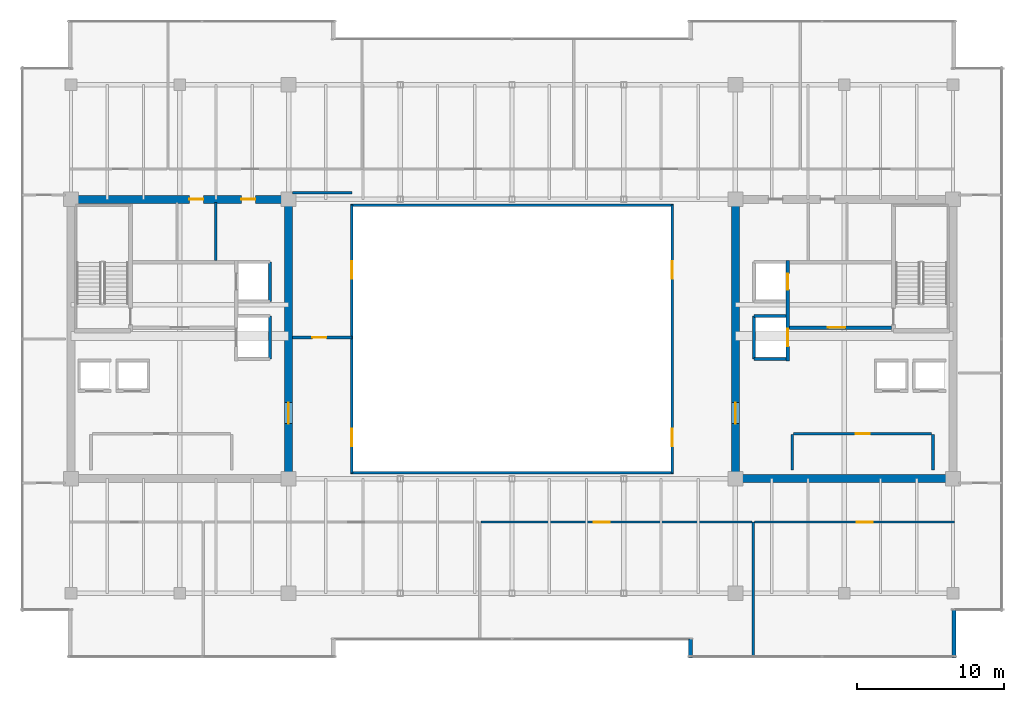
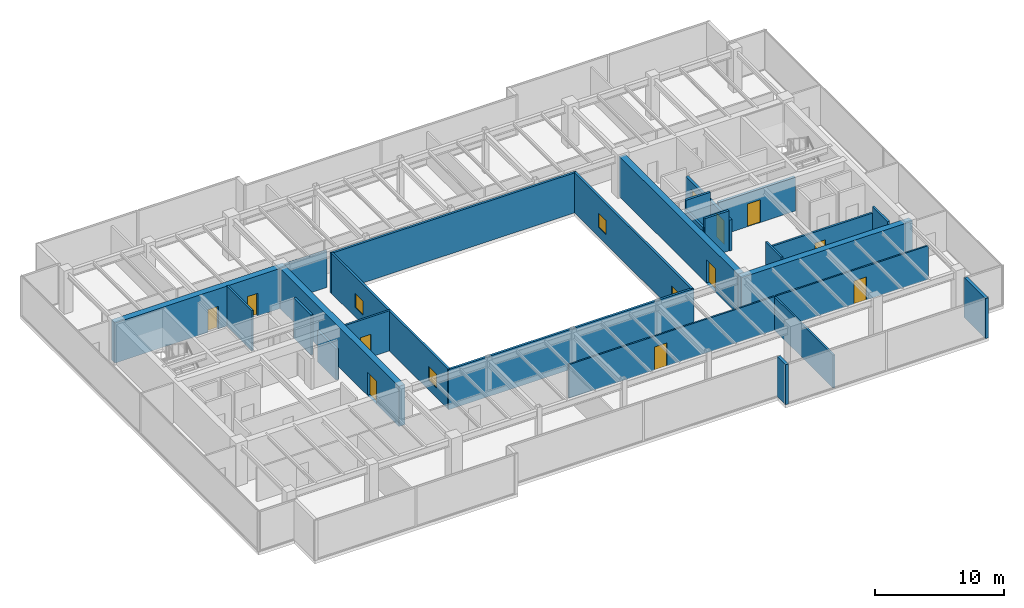
# One storey, part 29 of 33: 26 walls, 11 doors, 4 windows, 15 openings.
"""IFC4 building model written with IfcOpenShell, lengths in metres."""

from ifc_helpers import new_model, si_unit, direction, frame, frame_2d, origin, place, context, subcontext, project, spatial, rectangle, extrude, source, transform, mapped, material, layer, layer_set, type_object, type_shapes, element, fill, save


model = new_model("IFC4")

# Units and contexts
model_context = context("Model", 3, precision=1e-05, world=origin(), true_north=direction((0.0, 1.0)))
body_context = subcontext(model_context, "Body", "Model", "MODEL_VIEW")
ifc_project = project(units=[si_unit("LENGTHUNIT", "METRE"), si_unit("AREAUNIT", "SQUARE_METRE"), si_unit("VOLUMEUNIT", "CUBIC_METRE"), si_unit("PLANEANGLEUNIT", "RADIAN"), si_unit("MASSUNIT", "GRAM", prefix="KILO")], contexts=[model_context])

# Site, building, storey
site_placement = place(None, origin())
site = spatial("IfcSite", under=ifc_project, at=site_placement, CompositionType="ELEMENT")
building_placement = place(site_placement, origin())
building = spatial("IfcBuilding", under=site, at=building_placement, Name="Haelvirn Gate Laboratories", CompositionType="ELEMENT")
storey_placement = place(building_placement, frame((0.0, 0.0, 213.699951171875)))
storey = spatial("IfcBuildingStorey", under=building, at=storey_placement, Name="L51", CompositionType="ELEMENT", Elevation=213.699951171875)

# Walls
ifc_material_1 = material(Name="Thermally-broken bronze aluminium rainscreen & mineral wool", Category="aluminium")
ifc_layer_1 = layer(ifc_material_1, 0.280029296875, Name="EW-TERR-280")
ifc_layer_set_1 = layer_set([ifc_layer_1], Name="Thermally-broken bronze aluminium rainscreen & mineral wool")
wall_type_1 = type_object("IfcWallType", Name="EW-TERR-280", PredefinedType="STANDARD", material=ifc_layer_set_1)
wall_1_placement = place(storey_placement, frame((49.5400390625, 3.89306640625, 0.0), z_axis=(0.0, 0.0, 1.0), x_axis=(0.0, -1.0, 0.0)))
element("IfcWall", 1, at=wall_1_placement, inside=storey, type_object=wall_type_1, Name="L51 Atrium Recess Bronze Return Wall 03", PredefinedType="STANDARD", context=body_context, shape_type="SweptSolid", body=[
    extrude(rectangle(XDim=1.29296875, YDim=0.280029296875, at=frame_2d((0.646484375, 0.0))), origin(), (0.0, 0.0, 1.0), 3.800048828125),
])
wall_2_placement = place(storey_placement, frame((67.4599609375, 2.60009765625, 0.0), z_axis=(0.0, 0.0, 1.0), x_axis=(0.0, 1.0, 0.0)))
element("IfcWall", 2, at=wall_2_placement, inside=storey, type_object=wall_type_1, Name="L51 Atrium Recess Bronze Return Wall 05", PredefinedType="STANDARD", context=body_context, shape_type="SweptSolid", body=[
    extrude(rectangle(XDim=3.287841796875, YDim=0.280029296875, at=frame_2d((1.64404296875, 0.0))), origin(), (0.0, 0.0, 1.0), 3.800048828125),
])
ifc_material_2 = material(Name="Double-layer acoustic gypsum laboratory partition", Category="gypsum")
ifc_layer_2 = layer(ifc_material_2, 0.159912109375, Name="IW-ACOUST-160")
ifc_layer_set_2 = layer_set([ifc_layer_2], Name="Double-layer acoustic gypsum laboratory partition")
wall_type_2 = type_object("IfcWallType", Name="IW-ACOUST-160", PredefinedType="PARTITIONING", material=ifc_layer_set_2)
wall_3_placement = place(storey_placement, frame((53.800048828125, 2.7099609375, 0.0), z_axis=(0.0, 0.0, 1.0), x_axis=(0.0, 1.0, 0.0)))
element("IfcWall", 3, at=wall_3_placement, inside=storey, type_object=wall_type_2, Name="L51 Interior Wall IW-L51-SDIV-03", PredefinedType="PARTITIONING", context=body_context, shape_type="SweptSolid", body=[
    extrude(rectangle(XDim=9.130126953125, YDim=0.159912109375, at=frame_2d((4.56494140625, 0.0))), origin(), (0.0, 0.0, 1.0), 3.135009765625),
])
ifc_material_3 = material(Name="Fire-rated acoustic gypsum board partition", Category="gypsum")
ifc_layer_3 = layer(ifc_material_3, 0.175048828125, Name="IW-ACOUST-180")
ifc_layer_set_3 = layer_set([ifc_layer_3], Name="Fire-rated acoustic gypsum board partition")
wall_type_3 = type_object("IfcWallType", Name="IW-ACOUST-180", PredefinedType="PARTITIONING", material=ifc_layer_set_3)
wall_4_placement = place(storey_placement, frame((22.47509765625, 34.260009765625, 0.0), z_axis=(0.0, 0.0, 1.0), x_axis=(1.0, 0.0, 0.0)))
element("IfcWall", 4, at=wall_4_placement, inside=storey, type_object=wall_type_3, Name="L51 Interior Wall IW-L51-WPOD-N", PredefinedType="PARTITIONING", context=body_context, shape_type="SweptSolid", body=[
    extrude(rectangle(XDim=4.02490234375, YDim=0.175048828125, at=frame_2d((2.012451171875, 0.0))), origin(), (0.0, 0.0, 1.0), 3.485107421875),
])

# Wall, opening, door
wall_5_placement = place(storey_placement, frame((22.47509765625, 24.39990234375, 0.0), z_axis=(0.0, 0.0, 1.0), x_axis=(1.0, 0.0, 0.0)))
wall_5 = element("IfcWall", 5, at=wall_5_placement, inside=storey, type_object=wall_type_3, Name="L51 Interior Wall IW-L51-WPOD-S", PredefinedType="PARTITIONING", context=body_context, shape_type="SweptSolid", body=[
    extrude(rectangle(XDim=4.02490234375, YDim=0.175048828125, at=frame_2d((2.012451171875, 0.0))), origin(), (0.0, 0.0, 1.0), 3.800048828125),
])
opening_1_placement = place(wall_5_placement, frame((1.35009765625, 0.0, 0.0)))
opening_1 = element("IfcOpeningElement", 6, at=opening_1_placement, cuts=wall_5, Name="Opening FD4", PredefinedType="OPENING", context=body_context, shape_type="SweptSolid", body=[
    extrude(rectangle(XDim=0.949951171875, YDim=2.14990234375, at=frame_2d((0.47509765625, 1.074951171875))), frame((0.0, 0.09765625, 0.0), z_axis=(0.0, -1.0, 0.0), x_axis=(1.0, 0.0, 0.0)), (0.0, 0.0, 1.0), 0.195068359375),
])
ifc_material_4 = material(Name="Fire-rated steel SM355 core service door", Category="steel")
door_type_1 = type_object("IfcDoorType", Name="DR-FD-950", OperationType="NOTDEFINED", PredefinedType="DOOR", material=ifc_material_4)
shared_shape_1 = source(origin(), body_context, "Body", "SweptSolid", [
    extrude(rectangle(XDim=0.949951171875, YDim=2.14990234375, at=frame_2d((0.47509765625, 1.074951171875))), frame((0.0, 0.02490234375, 0.0), z_axis=(0.0, -1.0, 0.0), x_axis=(1.0, 0.0, 0.0)), (0.0, 0.0, 1.0), 0.050048828125),
])
type_shapes(door_type_1, [shared_shape_1])
door_1_placement = place(opening_1_placement, origin())
door_1 = element("IfcDoor", 7, at=door_1_placement, inside=storey, type_object=door_type_1, Name="L51 High-Zone Computational Suite Door", OperationType="SINGLE_SWING_RIGHT", OverallHeight=2.14990234375, OverallWidth=0.949951171875, PredefinedType="DOOR", context=body_context, shape_type="MappedRepresentation", body=[
    mapped(shared_shape_1, transform((0.0, 0.0, 0.0), scale=1.0)),
])
fill(opening_1, door_1)

# Wall, openings, windows
ifc_material_5 = material(Name="Tempered fire-rated borosilicate glass & anodised aluminium", Category="aluminium")
ifc_layer_4 = layer(ifc_material_5, 0.195068359375, Name="IW-GLAZ-200")
ifc_layer_set_4 = layer_set([ifc_layer_4], Name="Tempered fire-rated borosilicate glass & anodised aluminium")
wall_type_4 = type_object("IfcWallType", Name="IW-GLAZ-200", PredefinedType="SOLIDWALL", material=ifc_layer_set_4)
wall_6_placement = place(storey_placement, frame((26.5, 15.199951171875, 0.0), z_axis=(0.0, 0.0, 1.0), x_axis=(0.0, 1.0, 0.0)))
wall_6 = element("IfcWall", 8, at=wall_6_placement, inside=storey, type_object=wall_type_4, Name="L51 Interior Wall IW-L51-ATRIUM-W", PredefinedType="SOLIDWALL", context=body_context, shape_type="SweptSolid", body=[
    extrude(rectangle(XDim=18.199951171875, YDim=0.195068359375, at=frame_2d((9.10009765625, 0.0))), origin(), (0.0, 0.0, 1.0), 3.800048828125),
])
opening_2_placement = place(wall_6_placement, frame((1.800048828125, 0.0, 0.89990234375)))
opening_2 = element("IfcOpeningElement", 9, at=opening_2_placement, cuts=wall_6, Name="Opening W6", PredefinedType="OPENING", context=body_context, shape_type="SweptSolid", body=[
    extrude(rectangle(XDim=1.199951171875, YDim=1.35009765625, at=frame_2d((0.60009765625, 0.675048828125))), frame((0.0, 0.107421875, 0.0), z_axis=(0.0, -1.0, 0.0), x_axis=(1.0, 0.0, 0.0)), (0.0, 0.0, 1.0), 0.215087890625),
])
opening_3_placement = place(wall_6_placement, frame((13.199951171875, 0.0, 0.89990234375)))
opening_3 = element("IfcOpeningElement", 10, at=opening_3_placement, cuts=wall_6, Name="Opening W6", PredefinedType="OPENING", context=body_context, shape_type="SweptSolid", body=[
    extrude(rectangle(XDim=1.199951171875, YDim=1.35009765625, at=frame_2d((0.60009765625, 0.675048828125))), frame((0.0, 0.107421875, 0.0), z_axis=(0.0, -1.0, 0.0), x_axis=(1.0, 0.0, 0.0)), (0.0, 0.0, 1.0), 0.215087890625),
])
ifc_material_6 = material(Name="Fire-rated EI 120 borosilicate atrium vision glazing", Category="glass")
window_type = type_object("IfcWindowType", Name="WN-ATR-1200", PartitioningType="SINGLE_PANEL", PredefinedType="WINDOW", material=ifc_material_6)
shared_shape_2 = source(origin(), body_context, "Body", "SweptSolid", [
    extrude(rectangle(XDim=1.199951171875, YDim=1.35009765625, at=frame_2d((0.60009765625, 0.675048828125))), frame((0.0, 0.030029296875, 0.0), z_axis=(0.0, -1.0, 0.0), x_axis=(1.0, 0.0, 0.0)), (0.0, 0.0, 1.0), 0.06005859375),
])
type_shapes(window_type, [shared_shape_2])
window_1_placement = place(opening_2_placement, origin())
window_1 = element("IfcWindow", 11, at=window_1_placement, inside=storey, type_object=window_type, Name="L51 Atrium Observation Window 1", OverallHeight=1.35009765625, OverallWidth=1.199951171875, PartitioningType="SINGLE_PANEL", PredefinedType="WINDOW", context=body_context, shape_type="MappedRepresentation", body=[
    mapped(shared_shape_2, transform((0.0, 0.0, 0.0), scale=1.0)),
])
fill(opening_2, window_1)
window_2_placement = place(opening_3_placement, origin())
window_2 = element("IfcWindow", 12, at=window_2_placement, inside=storey, type_object=window_type, Name="L51 Atrium Observation Window 2", OverallHeight=1.35009765625, OverallWidth=1.199951171875, PartitioningType="SINGLE_PANEL", PredefinedType="WINDOW", context=body_context, shape_type="MappedRepresentation", body=[
    mapped(shared_shape_2, transform((0.0, 0.0, 0.0), scale=1.0)),
])
fill(opening_3, window_2)

wall_7_placement = place(storey_placement, frame((48.300048828125, 15.199951171875, 0.0), z_axis=(0.0, 0.0, 1.0), x_axis=(0.0, 1.0, 0.0)))
wall_7 = element("IfcWall", 13, at=wall_7_placement, inside=storey, type_object=wall_type_4, Name="L51 Interior Wall IW-L51-ATRIUM-E", PredefinedType="SOLIDWALL", context=body_context, shape_type="SweptSolid", body=[
    extrude(rectangle(XDim=18.199951171875, YDim=0.195068359375, at=frame_2d((9.10009765625, 0.0))), origin(), (0.0, 0.0, 1.0), 3.800048828125),
])
opening_4_placement = place(wall_7_placement, frame((1.800048828125, 0.0, 0.89990234375)))
opening_4 = element("IfcOpeningElement", 14, at=opening_4_placement, cuts=wall_7, Name="Opening W6", PredefinedType="OPENING", context=body_context, shape_type="SweptSolid", body=[
    extrude(rectangle(XDim=1.199951171875, YDim=1.35009765625, at=frame_2d((0.60009765625, 0.675048828125))), frame((0.0, 0.107421875, 0.0), z_axis=(0.0, -1.0, 0.0), x_axis=(1.0, 0.0, 0.0)), (0.0, 0.0, 1.0), 0.215087890625),
])
opening_5_placement = place(wall_7_placement, frame((13.199951171875, 0.0, 0.89990234375)))
opening_5 = element("IfcOpeningElement", 15, at=opening_5_placement, cuts=wall_7, Name="Opening W6", PredefinedType="OPENING", context=body_context, shape_type="SweptSolid", body=[
    extrude(rectangle(XDim=1.199951171875, YDim=1.35009765625, at=frame_2d((0.60009765625, 0.675048828125))), frame((0.0, 0.107421875, 0.0), z_axis=(0.0, -1.0, 0.0), x_axis=(1.0, 0.0, 0.0)), (0.0, 0.0, 1.0), 0.215087890625),
])
window_3_placement = place(opening_4_placement, origin())
window_3 = element("IfcWindow", 16, at=window_3_placement, inside=storey, type_object=window_type, Name="L51 Atrium Observation Window 1", OverallHeight=1.35009765625, OverallWidth=1.199951171875, PartitioningType="SINGLE_PANEL", PredefinedType="WINDOW", context=body_context, shape_type="MappedRepresentation", body=[
    mapped(shared_shape_2, transform((0.0, 0.0, 0.0), scale=1.0)),
])
fill(opening_4, window_3)
window_4_placement = place(opening_5_placement, origin())
window_4 = element("IfcWindow", 17, at=window_4_placement, inside=storey, type_object=window_type, Name="L51 Atrium Observation Window 2", OverallHeight=1.35009765625, OverallWidth=1.199951171875, PartitioningType="SINGLE_PANEL", PredefinedType="WINDOW", context=body_context, shape_type="MappedRepresentation", body=[
    mapped(shared_shape_2, transform((0.0, 0.0, 0.0), scale=1.0)),
])
fill(opening_5, window_4)

# Walls
for number, where, z_axis, x_axis, name in (
    (18, (26.39990234375, 15.199951171875, 0.0), (0.0, 0.0, 1.0), (1.0, 0.0, 0.0), "L51 Interior Wall IW-L51-ATRIUM-S"),
    (19, (26.39990234375, 33.39990234375, 0.0), (0.0, 0.0, 1.0), (1.0, 0.0, 0.0), "L51 Interior Wall IW-L51-ATRIUM-N"),
):
    element("IfcWall", number, at=place(storey_placement, frame(where, z_axis=z_axis, x_axis=x_axis)), inside=storey, type_object=wall_type_4, Name=name, PredefinedType="SOLIDWALL", context=body_context, shape_type="SweptSolid", body=[
        extrude(rectangle(XDim=22.0, YDim=0.195068359375, at=frame_2d((11.0, 0.0))), origin(), (0.0, 0.0, 1.0), 3.800048828125),
    ])

# Wall, opening, door
ifc_material_7 = material(Name="Acoustic mineral-wool gypsum board partition", Category="gypsum")
ifc_layer_5 = layer(ifc_material_7, 0.139892578125, Name="IW-PART-140")
ifc_layer_set_5 = layer_set([ifc_layer_5], Name="Acoustic mineral-wool gypsum board partition")
wall_type_5 = type_object("IfcWallType", Name="IW-PART-140", PredefinedType="PARTITIONING", material=ifc_layer_set_5)
wall_8_placement = place(storey_placement, frame((35.280029296875, 11.840087890625, 0.0), z_axis=(0.0, 0.0, 1.0), x_axis=(1.0, 0.0, 0.0)))
wall_8 = element("IfcWall", 20, at=wall_8_placement, inside=storey, type_object=wall_type_5, Name="L51 Interior Wall IW-L51-SCORR-03", PredefinedType="PARTITIONING", context=body_context, shape_type="SweptSolid", body=[
    extrude(rectangle(XDim=18.43994140625, YDim=0.139892578125, at=frame_2d((9.219970703125, 0.0))), origin(), (0.0, 0.0, 1.0), 3.197021484375),
])
opening_6_placement = place(wall_8_placement, frame((7.671630859375, 0.0, 0.0)))
opening_6 = element("IfcOpeningElement", 21, at=opening_6_placement, cuts=wall_8, Name="Opening D1", PredefinedType="OPENING", context=body_context, shape_type="SweptSolid", body=[
    extrude(rectangle(XDim=1.10009765625, YDim=2.179931640625, at=frame_2d((0.550048828125, 1.08984375))), frame((0.0, 0.080078125, 0.0), z_axis=(0.0, -1.0, 0.0), x_axis=(1.0, 0.0, 0.0)), (0.0, 0.0, 1.0), 0.159912109375),
])
ifc_material_8 = material(Name="Vision-panel acoustic solid-core timber lab door", Category="wood")
door_type_2 = type_object("IfcDoorType", Name="DR-LAB-1100", OperationType="NOTDEFINED", PredefinedType="DOOR", material=ifc_material_8)
shared_shape_3 = source(origin(), body_context, "Body", "SweptSolid", [
    extrude(rectangle(XDim=1.10009765625, YDim=2.179931640625, at=frame_2d((0.550048828125, 1.08984375))), frame((0.0, 0.02490234375, 0.0), z_axis=(0.0, -1.0, 0.0), x_axis=(1.0, 0.0, 0.0)), (0.0, 0.0, 1.0), 0.050048828125),
])
type_shapes(door_type_2, [shared_shape_3])
door_2_placement = place(opening_6_placement, origin())
door_2 = element("IfcDoor", 22, at=door_2_placement, inside=storey, type_object=door_type_2, Name="L51 Peer-Review Seminar Room Door S3", OperationType="SINGLE_SWING_RIGHT", OverallHeight=2.179931640625, OverallWidth=1.10009765625, PredefinedType="DOOR", context=body_context, shape_type="MappedRepresentation", body=[
    mapped(shared_shape_3, transform((0.0, 0.0, 0.0), scale=1.0)),
])
fill(opening_6, door_2)

wall_9_placement = place(storey_placement, frame((53.8798828125, 11.840087890625, 0.0), z_axis=(0.0, 0.0, 1.0), x_axis=(1.0, 0.0, 0.0)))
wall_9 = element("IfcWall", 23, at=wall_9_placement, inside=storey, type_object=wall_type_5, Name="L51 Interior Wall IW-L51-SCORR-04", PredefinedType="PARTITIONING", context=body_context, shape_type="SweptSolid", body=[
    extrude(rectangle(XDim=13.610107421875, YDim=0.139892578125, at=frame_2d((6.80517578125, 0.0))), origin(), (0.0, 0.0, 1.0), 3.197021484375),
])
opening_7_placement = place(wall_9_placement, frame((6.963623046875, 0.0, 0.0)))
opening_7 = element("IfcOpeningElement", 24, at=opening_7_placement, cuts=wall_9, Name="Opening D1", PredefinedType="OPENING", context=body_context, shape_type="SweptSolid", body=[
    extrude(rectangle(XDim=1.10009765625, YDim=2.179931640625, at=frame_2d((0.550048828125, 1.08984375))), frame((0.0, 0.080078125, 0.0), z_axis=(0.0, -1.0, 0.0), x_axis=(1.0, 0.0, 0.0)), (0.0, 0.0, 1.0), 0.159912109375),
])
door_3_placement = place(opening_7_placement, origin())
door_3 = element("IfcDoor", 25, at=door_3_placement, inside=storey, type_object=door_type_2, Name="L51 Colloquium Conference Room Door S4", OperationType="SINGLE_SWING_LEFT", OverallHeight=2.179931640625, OverallWidth=1.10009765625, PredefinedType="DOOR", context=body_context, shape_type="MappedRepresentation", body=[
    mapped(shared_shape_3, transform((0.0, 0.0, 0.0), scale=1.0)),
])
fill(opening_7, door_3)

# Wall
ifc_material_9 = material(Name="Cement-board restroom plumbing chase wall", Category="gypsum")
ifc_layer_6 = layer(ifc_material_9, 0.155029296875, Name="IW-PLUMB-160")
ifc_layer_set_6 = layer_set([ifc_layer_6], Name="Cement-board restroom plumbing chase wall")
wall_type_6 = type_object("IfcWallType", Name="IW-PLUMB-160", PredefinedType="PLUMBINGWALL", material=ifc_layer_set_6)
wall_10_placement = place(storey_placement, frame((17.239990234375, 29.64990234375, 0.0), z_axis=(0.0, 0.0, 1.0), x_axis=(0.0, 1.0, 0.0)))
element("IfcWall", 26, at=wall_10_placement, inside=storey, type_object=wall_type_6, Name="L51 Interior Wall IW-L51-W-CDIV-1", PredefinedType="PLUMBINGWALL", context=body_context, shape_type="SweptSolid", body=[
    extrude(rectangle(XDim=3.93017578125, YDim=0.155029296875, at=frame_2d((1.965087890625, 0.0))), origin(), (0.0, 0.0, 1.0), 3.800048828125),
])

# Wall, opening, door
ifc_material_10 = material(Name="Concrete C40/50", Category="concrete")
ifc_layer_7 = layer(ifc_material_10, 0.179931640625, Name="IW-SHAFT-180")
ifc_layer_set_7 = layer_set([ifc_layer_7], Name="Concrete C40/50")
wall_type_7 = type_object("IfcWallType", Name="IW-SHAFT-180", PredefinedType="SOLIDWALL", material=ifc_layer_set_7)
wall_11_placement = place(storey_placement, frame((56.550048828125, 17.85009765625, 0.0), z_axis=(0.0, 0.0, 1.0), x_axis=(1.0, 0.0, 0.0)))
wall_11 = element("IfcWall", 27, at=wall_11_placement, inside=storey, type_object=wall_type_7, Name="L51 Interior Wall IW-L51-E-FREED-HN-1", PredefinedType="SOLIDWALL", context=body_context, shape_type="SweptSolid", body=[
    extrude(rectangle(XDim=9.39990234375, YDim=0.179931640625, at=frame_2d((4.699951171875, 0.0))), origin(), (0.0, 0.0, 1.0), 3.197021484375),
])
opening_8_placement = place(wall_11_placement, frame((4.22509765625, 0.0, 0.0)))
opening_8 = element("IfcOpeningElement", 28, at=opening_8_placement, cuts=wall_11, Name="Opening FD4", PredefinedType="OPENING", context=body_context, shape_type="SweptSolid", body=[
    extrude(rectangle(XDim=0.949951171875, YDim=2.14990234375, at=frame_2d((0.47509765625, 1.074951171875))), frame((0.0, 0.10009765625, 0.0), z_axis=(0.0, -1.0, 0.0), x_axis=(1.0, 0.0, 0.0)), (0.0, 0.0, 1.0), 0.199951171875),
])
door_4_placement = place(opening_8_placement, origin())
door_4 = element("IfcDoor", 29, at=door_4_placement, inside=storey, type_object=door_type_1, Name="L51 Core Metrology & Calibration Laboratory Door", OperationType="SINGLE_SWING_LEFT", OverallHeight=2.14990234375, OverallWidth=0.949951171875, PredefinedType="DOOR", context=body_context, shape_type="MappedRepresentation", body=[
    mapped(shared_shape_1, transform((0.0, 0.0, 0.0), scale=1.0)),
])
fill(opening_8, door_4)

# Walls
for number, where, z_axis, x_axis, name in (
    (30, (56.4599609375, 15.39990234375, 0.0), (0.0, 0.0, 1.0), (0.0, 1.0, 0.0), "L51 Interior Wall IW-L51-E-FREED-HE-1"),
    (31, (66.0400390625, 15.39990234375, 0.0), (0.0, 0.0, 1.0), (0.0, 1.0, 0.0), "L51 Interior Wall IW-L51-E-FREED-HW-1"),
):
    element("IfcWall", number, at=place(storey_placement, frame(where, z_axis=z_axis, x_axis=x_axis)), inside=storey, type_object=wall_type_7, Name=name, PredefinedType="SOLIDWALL", context=body_context, shape_type="SweptSolid", body=[
        extrude(rectangle(XDim=2.400146484375, YDim=0.179931640625, at=frame_2d((1.2001953125, 0.0))), origin(), (0.0, 0.0, 1.0), 3.800048828125),
    ])
ifc_layer_8 = layer(ifc_material_10, 0.199951171875, Name="IW-SHAFT-200")
ifc_layer_set_8 = layer_set([ifc_layer_8], Name="Concrete C40/50")
wall_type_8 = type_object("IfcWallType", Name="IW-SHAFT-200", PredefinedType="SOLIDWALL", material=ifc_layer_set_8)
wall_12_placement = place(storey_placement, frame((20.949951171875, 26.85009765625, 0.0), z_axis=(0.0, 0.0, 1.0), x_axis=(0.0, 1.0, 0.0)))
element("IfcWall", 32, at=wall_12_placement, inside=storey, type_object=wall_type_8, Name="L51 Interior Wall IW-L51-FL1-BK", PredefinedType="SOLIDWALL", context=body_context, shape_type="SweptSolid", body=[
    extrude(rectangle(XDim=2.699951171875, YDim=0.199951171875, at=frame_2d((1.35009765625, 0.0))), origin(), (0.0, 0.0, 1.0), 3.800048828125),
])
for number, where, z_axis, x_axis, name in (
    (33, (20.949951171875, 22.949951171875, 0.0), (0.0, 0.0, 1.0), (0.0, 1.0, 0.0), "L51 Interior Wall IW-L51-SL1-BK"),
    (34, (53.85009765625, 22.949951171875, 0.0), (0.0, 0.0, 1.0), (0.0, 1.0, 0.0), "L51 Interior Wall IW-L51-SL2-BK"),
):
    element("IfcWall", number, at=place(storey_placement, frame(where, z_axis=z_axis, x_axis=x_axis)), inside=storey, type_object=wall_type_8, Name=name, PredefinedType="SOLIDWALL", context=body_context, shape_type="SweptSolid", body=[
        extrude(rectangle(XDim=2.900146484375, YDim=0.199951171875, at=frame_2d((1.4501953125, 0.0))), origin(), (0.0, 0.0, 1.0), 2.93505859375),
    ])
for number, where, z_axis, x_axis, name in (
    (35, (53.85009765625, 25.85009765625, 0.0), (0.0, 0.0, 1.0), (1.0, 0.0, 0.0), "L51 Interior Wall IW-L51-SL2-N"),
    (36, (53.85009765625, 22.949951171875, 0.0), (0.0, 0.0, 1.0), (1.0, 0.0, 0.0), "L51 Interior Wall IW-L51-SL2-S"),
):
    element("IfcWall", number, at=place(storey_placement, frame(where, z_axis=z_axis, x_axis=x_axis)), inside=storey, type_object=wall_type_8, Name=name, PredefinedType="SOLIDWALL", context=body_context, shape_type="SweptSolid", body=[
        extrude(rectangle(XDim=2.18994140625, YDim=0.199951171875, at=frame_2d((1.094970703125, 0.0))), origin(), (0.0, 0.0, 1.0), 3.800048828125),
    ])

# Wall, opening, door
ifc_layer_9 = layer(ifc_material_10, 0.239990234375, Name="IW-SHAFT-240")
ifc_layer_set_9 = layer_set([ifc_layer_9], Name="Concrete C40/50")
wall_type_9 = type_object("IfcWallType", Name="IW-SHAFT-240", PredefinedType="SOLIDWALL", material=ifc_layer_set_9)
wall_13_placement = place(storey_placement, frame((56.280029296875, 25.080078125, 0.0), z_axis=(0.0, 0.0, 1.0), x_axis=(1.0, 0.0, 0.0)))
wall_13 = element("IfcWall", 37, at=wall_13_placement, inside=storey, type_object=wall_type_9, Name="L51 Interior Wall IW-L51-E-FF-S", PredefinedType="SOLIDWALL", context=body_context, shape_type="SweptSolid", body=[
    extrude(rectangle(XDim=6.919921875, YDim=0.239990234375, at=frame_2d((3.4599609375, 0.0))), origin(), (0.0, 0.0, 1.0), 3.197021484375),
])
opening_9_placement = place(wall_13_placement, frame((2.60009765625, 0.0, 0.0)))
opening_9 = element("IfcOpeningElement", 38, at=opening_9_placement, cuts=wall_13, Name="Opening FD2", PredefinedType="OPENING", context=body_context, shape_type="SweptSolid", body=[
    extrude(rectangle(XDim=1.199951171875, YDim=2.159912109375, at=frame_2d((0.60009765625, 1.080078125))), frame((0.0, 0.1298828125, 0.0), z_axis=(0.0, -1.0, 0.0), x_axis=(1.0, 0.0, 0.0)), (0.0, 0.0, 1.0), 0.260009765625),
])
ifc_material_11 = material(Name="Fire-rated steel SM355 compartment door", Category="steel")
door_type_3 = type_object("IfcDoorType", Name="DR-FD-1200", OperationType="NOTDEFINED", PredefinedType="DOOR", material=ifc_material_11)
shared_shape_4 = source(origin(), body_context, "Body", "SweptSolid", [
    extrude(rectangle(XDim=1.199951171875, YDim=2.159912109375, at=frame_2d((0.60009765625, 1.080078125))), frame((0.0, 0.02490234375, 0.0), z_axis=(0.0, -1.0, 0.0), x_axis=(1.0, 0.0, 0.0)), (0.0, 0.0, 1.0), 0.050048828125),
])
type_shapes(door_type_3, [shared_shape_4])
door_5_placement = place(opening_9_placement, origin())
door_5 = element("IfcDoor", 39, at=door_5_placement, inside=storey, type_object=door_type_3, Name="L51 East Firefighting Lobby Door", OperationType="SINGLE_SWING_LEFT", OverallHeight=2.159912109375, OverallWidth=1.199951171875, PredefinedType="DOOR", context=body_context, shape_type="MappedRepresentation", body=[
    mapped(shared_shape_4, transform((0.0, 0.0, 0.0), scale=1.0)),
])
fill(opening_9, door_5)

# Wall, openings, doors
wall_14_placement = place(storey_placement, frame((56.159912109375, 22.800048828125, 0.0), z_axis=(0.0, 0.0, 1.0), x_axis=(0.0, 1.0, 0.0)))
wall_14 = element("IfcWall", 40, at=wall_14_placement, inside=storey, type_object=wall_type_9, Name="L51 Interior Wall IW-L51-E-FF-E", PredefinedType="SOLIDWALL", context=body_context, shape_type="SweptSolid", body=[
    extrude(rectangle(XDim=6.849853515625, YDim=0.239990234375, at=frame_2d((3.4248046875, 0.0))), origin(), (0.0, 0.0, 1.0), 2.93505859375),
])
opening_10_placement = place(wall_14_placement, frame((4.85009765625, 0.0, 0.0)))
opening_10 = element("IfcOpeningElement", 41, at=opening_10_placement, cuts=wall_14, Name="Opening LD2", PredefinedType="OPENING", context=body_context, shape_type="SweptSolid", body=[
    extrude(rectangle(XDim=1.10009765625, YDim=2.219970703125, at=frame_2d((0.550048828125, 1.10986328125))), frame((0.0, 0.1298828125, 0.0), z_axis=(0.0, -1.0, 0.0), x_axis=(1.0, 0.0, 0.0)), (0.0, 0.0, 1.0), 0.260009765625),
])
opening_11_placement = place(wall_14_placement, frame((1.0, 0.0, 0.0)))
opening_11 = element("IfcOpeningElement", 42, at=opening_11_placement, cuts=wall_14, Name="Opening LD1", PredefinedType="OPENING", context=body_context, shape_type="SweptSolid", body=[
    extrude(rectangle(XDim=1.199951171875, YDim=2.219970703125, at=frame_2d((0.60009765625, 1.10986328125))), frame((0.0, 0.1298828125, 0.0), z_axis=(0.0, -1.0, 0.0), x_axis=(1.0, 0.0, 0.0)), (0.0, 0.0, 1.0), 0.260009765625),
])
ifc_material_12 = material(Name="Bronze stainless 316L sliding lift landing door")
door_type_4 = type_object("IfcDoorType", Name="DR-LD-1100", OperationType="NOTDEFINED", PredefinedType="USERDEFINED", material=ifc_material_12)
shared_shape_5 = source(origin(), body_context, "Body", "SweptSolid", [
    extrude(rectangle(XDim=1.10009765625, YDim=2.219970703125, at=frame_2d((0.550048828125, 1.10986328125))), frame((0.0, 0.02490234375, 0.0), z_axis=(0.0, -1.0, 0.0), x_axis=(1.0, 0.0, 0.0)), (0.0, 0.0, 1.0), 0.050048828125),
])
type_shapes(door_type_4, [shared_shape_5])
door_6_placement = place(opening_10_placement, origin())
door_6 = element("IfcDoor", 43, at=door_6_placement, inside=storey, type_object=door_type_4, Name="L51 Firefighting Lift FL2 Landing Door", ObjectType="LANDING_DOOR", OperationType="SLIDING_TO_RIGHT", OverallHeight=2.219970703125, OverallWidth=1.10009765625, PredefinedType="USERDEFINED", context=body_context, shape_type="MappedRepresentation", body=[
    mapped(shared_shape_5, transform((0.0, 0.0, 0.0), scale=1.0)),
])
fill(opening_10, door_6)
ifc_material_13 = material(Name="Stainless steel 316L sliding goods landing door", Category="steel")
door_type_5 = type_object("IfcDoorType", Name="DR-LD-1200", OperationType="NOTDEFINED", PredefinedType="USERDEFINED", material=ifc_material_13)
shared_shape_6 = source(origin(), body_context, "Body", "SweptSolid", [
    extrude(rectangle(XDim=1.199951171875, YDim=2.219970703125, at=frame_2d((0.60009765625, 1.10986328125))), frame((0.0, 0.02490234375, 0.0), z_axis=(0.0, -1.0, 0.0), x_axis=(1.0, 0.0, 0.0)), (0.0, 0.0, 1.0), 0.050048828125),
])
type_shapes(door_type_5, [shared_shape_6])
door_7_placement = place(opening_11_placement, origin())
door_7 = element("IfcDoor", 44, at=door_7_placement, inside=storey, type_object=door_type_5, Name="L51 Service Lift SL2 Landing Door", ObjectType="LANDING_DOOR", OperationType="SLIDING_TO_LEFT", OverallHeight=2.219970703125, OverallWidth=1.199951171875, PredefinedType="USERDEFINED", context=body_context, shape_type="MappedRepresentation", body=[
    mapped(shared_shape_6, transform((0.0, 0.0, 0.0), scale=1.0)),
])
fill(opening_11, door_7)

ifc_material_14 = material(Name="Concrete C50/60", Category="concrete")
ifc_layer_10 = layer(ifc_material_14, 0.550048828125, Name="SW-CORE-550")
ifc_layer_set_10 = layer_set([ifc_layer_10], Name="Concrete C50/60")
wall_type_10 = type_object("IfcWallType", Name="SW-CORE-550", PredefinedType="SHEAR", material=ifc_layer_set_10)
wall_15_placement = place(storey_placement, frame((7.125, 33.800048828125, 0.0), z_axis=(0.0, 0.0, 1.0), x_axis=(1.0, 0.0, 0.0)))
wall_15 = element("IfcWall", 45, at=wall_15_placement, inside=storey, type_object=wall_type_10, Name="L51 W Core Shear Wall N", PredefinedType="SHEAR", context=body_context, shape_type="SweptSolid", body=[
    extrude(rectangle(XDim=15.35009765625, YDim=0.550048828125, at=frame_2d((7.675048828125, 0.0))), origin(), (0.0, 0.0, 1.0), 3.800048828125),
])
opening_12_placement = place(wall_15_placement, frame((8.324951171875, 0.0, 0.0)))
opening_12 = element("IfcOpeningElement", 46, at=opening_12_placement, cuts=wall_15, Name="Opening FD4", PredefinedType="OPENING", context=body_context, shape_type="SweptSolid", body=[
    extrude(rectangle(XDim=0.949951171875, YDim=2.14990234375, at=frame_2d((0.47509765625, 1.074951171875))), frame((0.0, 0.28515625, 0.0), z_axis=(0.0, -1.0, 0.0), x_axis=(1.0, 0.0, 0.0)), (0.0, 0.0, 1.0), 0.570068359375),
])
opening_13_placement = place(wall_15_placement, frame((11.864990234375, 0.0, 0.0)))
opening_13 = element("IfcOpeningElement", 47, at=opening_13_placement, cuts=wall_15, Name="Opening FD4", PredefinedType="OPENING", context=body_context, shape_type="SweptSolid", body=[
    extrude(rectangle(XDim=0.949951171875, YDim=2.14990234375, at=frame_2d((0.47509765625, 1.074951171875))), frame((0.0, 0.28515625, 0.0), z_axis=(0.0, -1.0, 0.0), x_axis=(1.0, 0.0, 0.0)), (0.0, 0.0, 1.0), 0.570068359375),
])
door_8_placement = place(opening_12_placement, origin())
door_8 = element("IfcDoor", 48, at=door_8_placement, inside=storey, type_object=door_type_1, Name="L51 Accessible Restroom Fire Door", OperationType="SINGLE_SWING_RIGHT", OverallHeight=2.14990234375, OverallWidth=0.949951171875, PredefinedType="DOOR", context=body_context, shape_type="MappedRepresentation", body=[
    mapped(shared_shape_1, transform((0.0, 0.0, 0.0), scale=1.0)),
])
fill(opening_12, door_8)
door_9_placement = place(opening_13_placement, origin())
door_9 = element("IfcDoor", 49, at=door_9_placement, inside=storey, type_object=door_type_1, Name="L51 Staff Restroom Fire Door", OperationType="SINGLE_SWING_LEFT", OverallHeight=2.14990234375, OverallWidth=0.949951171875, PredefinedType="DOOR", context=body_context, shape_type="MappedRepresentation", body=[
    mapped(shared_shape_1, transform((0.0, 0.0, 0.0), scale=1.0)),
])
fill(opening_13, door_9)

# Wall, opening, door
wall_16_placement = place(storey_placement, frame((22.199951171875, 15.074951171875, 0.0), z_axis=(0.0, 0.0, 1.0), x_axis=(0.0, 1.0, 0.0)))
wall_16 = element("IfcWall", 50, at=wall_16_placement, inside=storey, type_object=wall_type_10, Name="L51 W Core Shear Wall E", PredefinedType="SHEAR", context=body_context, shape_type="SweptSolid", body=[
    extrude(rectangle(XDim=18.449951171875, YDim=0.550048828125, at=frame_2d((9.22509765625, 0.0))), origin(), (0.0, 0.0, 1.0), 3.800048828125),
])
opening_14_placement = place(wall_16_placement, frame((3.47509765625, 0.0, 0.0)))
opening_14 = element("IfcOpeningElement", 51, at=opening_14_placement, cuts=wall_16, Name="Opening FD1", PredefinedType="OPENING", context=body_context, shape_type="SweptSolid", body=[
    extrude(rectangle(XDim=1.419921875, YDim=2.199951171875, at=frame_2d((0.7099609375, 1.10009765625))), frame((0.0, 0.28515625, 0.0), z_axis=(0.0, -1.0, 0.0), x_axis=(1.0, 0.0, 0.0)), (0.0, 0.0, 1.0), 0.570068359375),
])
ifc_material_15 = material(Name="Fire-rated double steel SM355 lobby door", Category="steel")
door_type_6 = type_object("IfcDoorType", Name="DR-FD-1400", OperationType="NOTDEFINED", PredefinedType="DOOR", material=ifc_material_15)
shared_shape_7 = source(origin(), body_context, "Body", "SweptSolid", [
    extrude(rectangle(XDim=1.419921875, YDim=2.199951171875, at=frame_2d((0.7099609375, 1.10009765625))), frame((0.0, 0.02490234375, 0.0), z_axis=(0.0, -1.0, 0.0), x_axis=(1.0, 0.0, 0.0)), (0.0, 0.0, 1.0), 0.050048828125),
])
type_shapes(door_type_6, [shared_shape_7])
door_10_placement = place(opening_14_placement, origin())
door_10 = element("IfcDoor", 52, at=door_10_placement, inside=storey, type_object=door_type_6, Name="L51 West Core Lift Lobby Fire Door", OperationType="DOUBLE_DOOR_SINGLE_SWING", OverallHeight=2.199951171875, OverallWidth=1.419921875, PredefinedType="DOOR", context=body_context, shape_type="MappedRepresentation", body=[
    mapped(shared_shape_7, transform((0.0, 0.0, 0.0), scale=1.0)),
])
fill(opening_14, door_10)

# Wall
wall_17_placement = place(storey_placement, frame((52.324951171875, 14.800048828125, 0.0), z_axis=(0.0, 0.0, 1.0), x_axis=(1.0, 0.0, 0.0)))
element("IfcWall", 53, at=wall_17_placement, inside=storey, type_object=wall_type_10, Name="L51 E Core Shear Wall S", PredefinedType="SHEAR", context=body_context, shape_type="SweptSolid", body=[
    extrude(rectangle(XDim=15.35009765625, YDim=0.550048828125, at=frame_2d((7.675048828125, 0.0))), origin(), (0.0, 0.0, 1.0), 3.800048828125),
])

# Wall, opening, door
wall_18_placement = place(storey_placement, frame((52.60009765625, 15.074951171875, 0.0), z_axis=(0.0, 0.0, 1.0), x_axis=(0.0, 1.0, 0.0)))
wall_18 = element("IfcWall", 54, at=wall_18_placement, inside=storey, type_object=wall_type_10, Name="L51 E Core Shear Wall W", PredefinedType="SHEAR", context=body_context, shape_type="SweptSolid", body=[
    extrude(rectangle(XDim=18.449951171875, YDim=0.550048828125, at=frame_2d((9.22509765625, 0.0))), origin(), (0.0, 0.0, 1.0), 3.800048828125),
])
opening_15_placement = place(wall_18_placement, frame((3.47509765625, 0.0, 0.0)))
opening_15 = element("IfcOpeningElement", 55, at=opening_15_placement, cuts=wall_18, Name="Opening FD1", PredefinedType="OPENING", context=body_context, shape_type="SweptSolid", body=[
    extrude(rectangle(XDim=1.419921875, YDim=2.199951171875, at=frame_2d((0.7099609375, 1.10009765625))), frame((0.0, 0.28515625, 0.0), z_axis=(0.0, -1.0, 0.0), x_axis=(1.0, 0.0, 0.0)), (0.0, 0.0, 1.0), 0.570068359375),
])
door_11_placement = place(opening_15_placement, origin())
door_11 = element("IfcDoor", 56, at=door_11_placement, inside=storey, type_object=door_type_6, Name="L51 East Core Lift Lobby Fire Door", OperationType="DOUBLE_DOOR_SINGLE_SWING", OverallHeight=2.199951171875, OverallWidth=1.419921875, PredefinedType="DOOR", context=body_context, shape_type="MappedRepresentation", body=[
    mapped(shared_shape_7, transform((0.0, 0.0, 0.0), scale=1.0)),
])
fill(opening_15, door_11)

save(model, "model.ifc")
